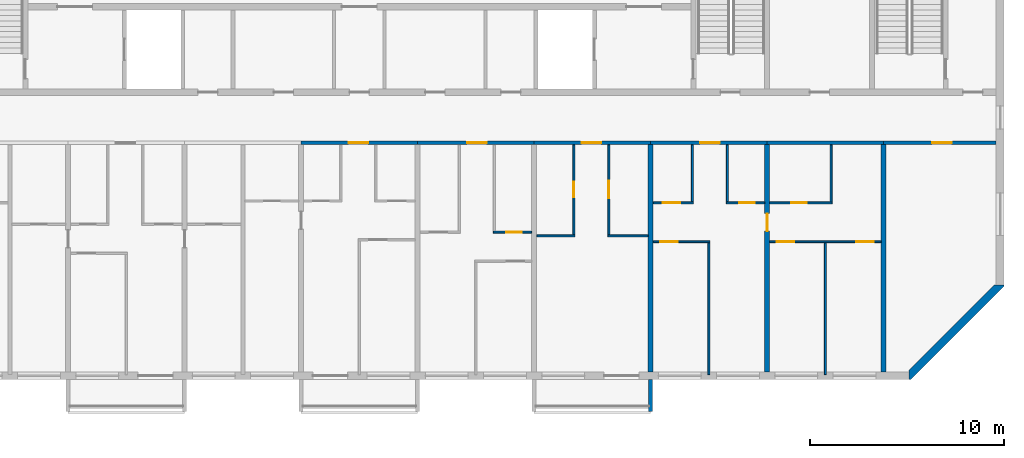
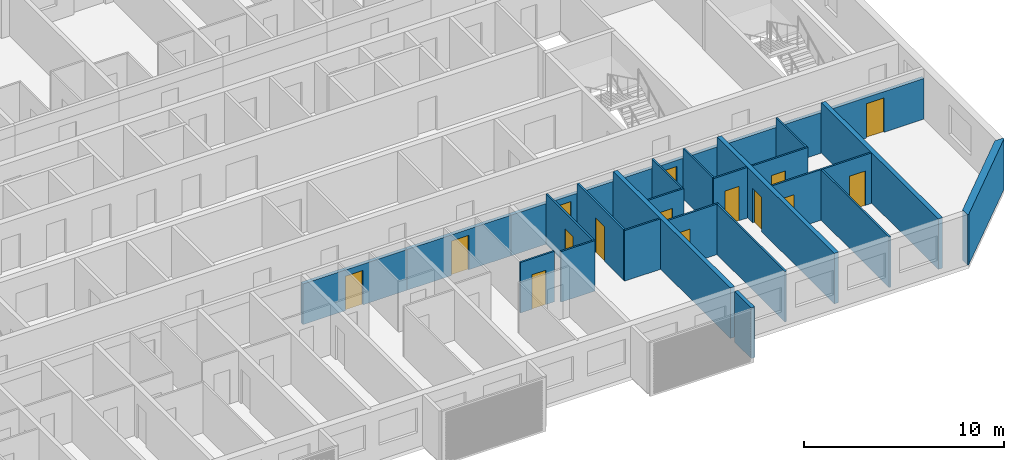
# One storey, part 5 of 29: 26 walls, 15 doors, 15 openings.
"""IFC4 building model written with IfcOpenShell, lengths in metres."""

from ifc_helpers import new_model, si_unit, direction, frame, frame_2d, origin, place, context, subcontext, project, spatial, polyline, rectangle, outline, extrude, source, transform, mapped, material, layer, layer_set, type_object, element, fill, save


model = new_model("IFC4")

# Units and contexts
model_context = context("Model", 3, precision=1e-05, world=origin(), true_north=direction((0.0, 1.0)))
body_context = subcontext(model_context, "Body", "Model", "MODEL_VIEW")
ifc_project = project(units=[si_unit("LENGTHUNIT", "METRE"), si_unit("AREAUNIT", "SQUARE_METRE"), si_unit("VOLUMEUNIT", "CUBIC_METRE"), si_unit("PLANEANGLEUNIT", "RADIAN"), si_unit("MASSUNIT", "GRAM", prefix="KILO")], contexts=[model_context])

# Site, building, storey
site_placement = place(None, origin())
site = spatial("IfcSite", under=ifc_project, at=site_placement, CompositionType="ELEMENT")
building_placement = place(site_placement, origin())
building = spatial("IfcBuilding", under=site, at=building_placement, Name="Poui Terraces", CompositionType="ELEMENT")
storey_placement = place(building_placement, frame((0.0, 0.0, 237.89990234375)))
storey = spatial("IfcBuildingStorey", under=building, at=storey_placement, Name="L66", CompositionType="ELEMENT", Elevation=237.89990234375)

# Wall, opening, door
ifc_material_1 = material(Name="Concrete 50 MPa", Category="concrete")
ifc_layer_1 = layer(ifc_material_1, 0.199951171875)
ifc_layer_set_1 = layer_set([ifc_layer_1], Name="Concrete 50 MPa")
wall_type_1 = type_object("IfcWallType", Name="CORRIDOR WALL 200 50MPa", PredefinedType="SHEAR", material=ifc_layer_set_1)
wall_1_placement = place(storey_placement, frame((48.0, 12.0, 0.0), z_axis=(0.0, 0.0, 1.0), x_axis=(1.0, 0.0, 0.0)))
wall_1 = element("IfcWall", 1, at=wall_1_placement, inside=storey, type_object=wall_type_1, Name="CORRIDOR WALL LINE B BAY 6", PredefinedType="SHEAR", context=body_context, shape_type="SweptSolid", body=[
    extrude(rectangle(XDim=6.0, YDim=0.199951171875, at=frame_2d((3.0, 0.0))), origin(), (0.0, 0.0, 1.0), 2.47998046875),
])
opening_1_placement = place(wall_1_placement, frame((2.449951171875, 0.0, 0.0)))
opening_1 = element("IfcOpeningElement", 2, at=opening_1_placement, cuts=wall_1, Name="Opening FD30S", PredefinedType="OPENING", context=body_context, shape_type="SweptSolid", body=[
    extrude(rectangle(XDim=1.0, YDim=2.10009765625, at=frame_2d((0.5, 1.050048828125))), frame((0.0, 0.10986328125, 0.0), z_axis=(0.0, -1.0, 0.0), x_axis=(1.0, 0.0, 0.0)), (0.0, 0.0, 1.0), 0.219970703125),
])
ifc_material_2 = material(Name="Steel fire door", Category="steel")
door_type_1 = type_object("IfcDoorType", Name="FLAT ENTRANCE DOOR 1000 X 2100", OperationType="NOTDEFINED", PredefinedType="DOOR", material=ifc_material_2)
door_1_placement = place(opening_1_placement, frame((1.0, 0.0, 0.0), z_axis=(0.0, 0.0, 1.0), x_axis=(-1.0, 0.0, 0.0)))
door_1 = element("IfcDoor", 3, at=door_1_placement, inside=storey, type_object=door_type_1, Name="FLAT ENTRANCE DOOR 081", OperationType="SINGLE_SWING_RIGHT", OverallHeight=2.10009765625, OverallWidth=1.0, PredefinedType="DOOR", context=body_context, shape_type="SweptSolid", body=[
    extrude(rectangle(XDim=1.0, YDim=2.10009765625, at=frame_2d((0.5, 1.050048828125))), frame((0.0, 0.02490234375, 0.0), z_axis=(0.0, -1.0, 0.0), x_axis=(1.0, 0.0, 0.0)), (0.0, 0.0, 1.0), 0.050048828125),
])
fill(opening_1, door_1)

wall_2_placement = place(storey_placement, frame((54.0, 12.0, 0.0), z_axis=(0.0, 0.0, 1.0), x_axis=(1.0, 0.0, 0.0)))
wall_2 = element("IfcWall", 4, at=wall_2_placement, inside=storey, type_object=wall_type_1, Name="CORRIDOR WALL LINE B BAY 7", PredefinedType="SHEAR", context=body_context, shape_type="SweptSolid", body=[
    extrude(rectangle(XDim=6.0, YDim=0.199951171875, at=frame_2d((3.0, 0.0))), origin(), (0.0, 0.0, 1.0), 2.47998046875),
])
opening_2_placement = place(wall_2_placement, frame((2.550048828125, 0.0, 0.0)))
opening_2 = element("IfcOpeningElement", 5, at=opening_2_placement, cuts=wall_2, Name="Opening FD30S", PredefinedType="OPENING", context=body_context, shape_type="SweptSolid", body=[
    extrude(rectangle(XDim=1.0, YDim=2.10009765625, at=frame_2d((0.5, 1.050048828125))), frame((0.0, 0.10986328125, 0.0), z_axis=(0.0, -1.0, 0.0), x_axis=(1.0, 0.0, 0.0)), (0.0, 0.0, 1.0), 0.219970703125),
])
door_2_placement = place(opening_2_placement, frame((1.0, 0.0, 0.0), z_axis=(0.0, 0.0, 1.0), x_axis=(-1.0, 0.0, 0.0)))
door_2 = element("IfcDoor", 6, at=door_2_placement, inside=storey, type_object=door_type_1, Name="FLAT ENTRANCE DOOR 085", OperationType="SINGLE_SWING_LEFT", OverallHeight=2.10009765625, OverallWidth=1.0, PredefinedType="DOOR", context=body_context, shape_type="SweptSolid", body=[
    extrude(rectangle(XDim=1.0, YDim=2.10009765625, at=frame_2d((0.5, 1.050048828125))), frame((0.0, 0.02490234375, 0.0), z_axis=(0.0, -1.0, 0.0), x_axis=(1.0, 0.0, 0.0)), (0.0, 0.0, 1.0), 0.050048828125),
])
fill(opening_2, door_2)

wall_3_placement = place(storey_placement, frame((60.0, 12.0, 0.0), z_axis=(0.0, 0.0, 1.0), x_axis=(1.0, 0.0, 0.0)))
wall_3 = element("IfcWall", 7, at=wall_3_placement, inside=storey, type_object=wall_type_1, Name="CORRIDOR WALL LINE B BAY 8", PredefinedType="SHEAR", context=body_context, shape_type="SweptSolid", body=[
    extrude(rectangle(XDim=6.0, YDim=0.199951171875, at=frame_2d((3.0, 0.0))), origin(), (0.0, 0.0, 1.0), 2.47998046875),
])
opening_3_placement = place(wall_3_placement, frame((2.449951171875, 0.0, 0.0)))
opening_3 = element("IfcOpeningElement", 8, at=opening_3_placement, cuts=wall_3, Name="Opening FD30S", PredefinedType="OPENING", context=body_context, shape_type="SweptSolid", body=[
    extrude(rectangle(XDim=1.0, YDim=2.10009765625, at=frame_2d((0.5, 1.050048828125))), frame((0.0, 0.10986328125, 0.0), z_axis=(0.0, -1.0, 0.0), x_axis=(1.0, 0.0, 0.0)), (0.0, 0.0, 1.0), 0.219970703125),
])
door_3_placement = place(opening_3_placement, frame((1.0, 0.0, 0.0), z_axis=(0.0, 0.0, 1.0), x_axis=(-1.0, 0.0, 0.0)))
door_3 = element("IfcDoor", 9, at=door_3_placement, inside=storey, type_object=door_type_1, Name="FLAT ENTRANCE DOOR 089", OperationType="SINGLE_SWING_RIGHT", OverallHeight=2.10009765625, OverallWidth=1.0, PredefinedType="DOOR", context=body_context, shape_type="SweptSolid", body=[
    extrude(rectangle(XDim=1.0, YDim=2.10009765625, at=frame_2d((0.5, 1.050048828125))), frame((0.0, 0.02490234375, 0.0), z_axis=(0.0, -1.0, 0.0), x_axis=(1.0, 0.0, 0.0)), (0.0, 0.0, 1.0), 0.050048828125),
])
fill(opening_3, door_3)

wall_4_placement = place(storey_placement, frame((66.0, 12.0, 0.0), z_axis=(0.0, 0.0, 1.0), x_axis=(1.0, 0.0, 0.0)))
wall_4 = element("IfcWall", 10, at=wall_4_placement, inside=storey, type_object=wall_type_1, Name="CORRIDOR WALL LINE B BAY 9", PredefinedType="SHEAR", context=body_context, shape_type="SweptSolid", body=[
    extrude(rectangle(XDim=6.0, YDim=0.199951171875, at=frame_2d((3.0, 0.0))), origin(), (0.0, 0.0, 1.0), 2.47998046875),
])
opening_4_placement = place(wall_4_placement, frame((2.550048828125, 0.0, 0.0)))
opening_4 = element("IfcOpeningElement", 11, at=opening_4_placement, cuts=wall_4, Name="Opening FD30S", PredefinedType="OPENING", context=body_context, shape_type="SweptSolid", body=[
    extrude(rectangle(XDim=1.0, YDim=2.10009765625, at=frame_2d((0.5, 1.050048828125))), frame((0.0, 0.10986328125, 0.0), z_axis=(0.0, -1.0, 0.0), x_axis=(1.0, 0.0, 0.0)), (0.0, 0.0, 1.0), 0.219970703125),
])
door_4_placement = place(opening_4_placement, frame((1.0, 0.0, 0.0), z_axis=(0.0, 0.0, 1.0), x_axis=(-1.0, 0.0, 0.0)))
door_4 = element("IfcDoor", 12, at=door_4_placement, inside=storey, type_object=door_type_1, Name="FLAT ENTRANCE DOOR 096", OperationType="SINGLE_SWING_LEFT", OverallHeight=2.10009765625, OverallWidth=1.0, PredefinedType="DOOR", context=body_context, shape_type="SweptSolid", body=[
    extrude(rectangle(XDim=1.0, YDim=2.10009765625, at=frame_2d((0.5, 1.050048828125))), frame((0.0, 0.02490234375, 0.0), z_axis=(0.0, -1.0, 0.0), x_axis=(1.0, 0.0, 0.0)), (0.0, 0.0, 1.0), 0.050048828125),
])
fill(opening_4, door_4)

# Wall
wall_5_placement = place(storey_placement, frame((72.0, 12.0, 0.0), z_axis=(0.0, 0.0, 1.0), x_axis=(1.0, 0.0, 0.0)))
element("IfcWall", 13, at=wall_5_placement, inside=storey, type_object=wall_type_1, Name="CORRIDOR WALL LINE B BAY 10", PredefinedType="SHEAR", context=body_context, shape_type="SweptSolid", body=[
    extrude(rectangle(XDim=6.0, YDim=0.199951171875, at=frame_2d((3.0, 0.0))), origin(), (0.0, 0.0, 1.0), 2.47998046875),
])

# Wall, opening, door
wall_6_placement = place(storey_placement, frame((78.0, 12.0, 0.0), z_axis=(0.0, 0.0, 1.0), x_axis=(1.0, 0.0, 0.0)))
wall_6 = element("IfcWall", 14, at=wall_6_placement, inside=storey, type_object=wall_type_1, Name="CORRIDOR WALL LINE B BAY 11", PredefinedType="SHEAR", context=body_context, shape_type="SweptSolid", body=[
    extrude(rectangle(XDim=5.800048828125, YDim=0.199951171875, at=frame_2d((2.89990234375, 0.0))), origin(), (0.0, 0.0, 1.0), 2.47998046875),
])
opening_5_placement = place(wall_6_placement, frame((2.5, 0.0, 0.0)))
opening_5 = element("IfcOpeningElement", 15, at=opening_5_placement, cuts=wall_6, Name="Opening D100", PredefinedType="OPENING", context=body_context, shape_type="SweptSolid", body=[
    extrude(rectangle(XDim=1.0, YDim=2.10009765625, at=frame_2d((0.5, 1.050048828125))), frame((0.0, 0.10986328125, 0.0), z_axis=(0.0, -1.0, 0.0), x_axis=(1.0, 0.0, 0.0)), (0.0, 0.0, 1.0), 0.219970703125),
])
ifc_material_3 = material(Name="Solid core timber door", Category="wood")
door_type_2 = type_object("IfcDoorType", Name="ACCESSIBLE INTERNAL DOOR 1000 X 2100", OperationType="NOTDEFINED", PredefinedType="DOOR", material=ifc_material_3)
door_5_placement = place(opening_5_placement, frame((1.0, 0.0, 0.0), z_axis=(0.0, 0.0, 1.0), x_axis=(-1.0, 0.0, 0.0)))
door_5 = element("IfcDoor", 16, at=door_5_placement, inside=storey, type_object=door_type_2, Name="ACCESSIBLE INTERNAL DOOR 099", OperationType="SINGLE_SWING_RIGHT", OverallHeight=2.10009765625, OverallWidth=1.0, PredefinedType="DOOR", context=body_context, shape_type="SweptSolid", body=[
    extrude(rectangle(XDim=1.0, YDim=2.10009765625, at=frame_2d((0.5, 1.050048828125))), frame((0.0, 0.02490234375, 0.0), z_axis=(0.0, -1.0, 0.0), x_axis=(1.0, 0.0, 0.0)), (0.0, 0.0, 1.0), 0.050048828125),
])
fill(opening_5, door_5)

# Wall
ifc_layer_2 = layer(ifc_material_1, 0.25)
ifc_layer_set_2 = layer_set([ifc_layer_2], Name="Concrete 50 MPa")
wall_type_2 = type_object("IfcWallType", Name="CROSS WALL 250 50MPa", PredefinedType="SHEAR", material=ifc_layer_set_2)
wall_7_placement = place(storey_placement, frame((66.0, 0.199951171875, 0.0), z_axis=(0.0, 0.0, 1.0), x_axis=(0.0, 1.0, 0.0)))
element("IfcWall", 17, at=wall_7_placement, inside=storey, type_object=wall_type_2, Name="CROSS WALL LINE 12 SOUTH", PredefinedType="SHEAR", context=body_context, shape_type="SweptSolid", body=[
    extrude(rectangle(XDim=11.699951171875, YDim=0.25, at=frame_2d((5.85009765625, 0.0))), origin(), (0.0, 0.0, 1.0), 3.080078125),
])

# Wall, opening, door
wall_8_placement = place(storey_placement, frame((72.0, 0.199951171875, 0.0), z_axis=(0.0, 0.0, 1.0), x_axis=(0.0, 1.0, 0.0)))
wall_8 = element("IfcWall", 18, at=wall_8_placement, inside=storey, type_object=wall_type_2, Name="CROSS WALL LINE 13 SOUTH", PredefinedType="SHEAR", context=body_context, shape_type="SweptSolid", body=[
    extrude(rectangle(XDim=11.699951171875, YDim=0.25, at=frame_2d((5.85009765625, 0.0))), origin(), (0.0, 0.0, 1.0), 3.080078125),
])
opening_6_placement = place(wall_8_placement, frame((7.25, 0.0, 0.0)))
opening_6 = element("IfcOpeningElement", 19, at=opening_6_placement, cuts=wall_8, Name="Opening D90", PredefinedType="OPENING", context=body_context, shape_type="SweptSolid", body=[
    extrude(rectangle(XDim=0.89990234375, YDim=2.10009765625, at=frame_2d((0.449951171875, 1.050048828125))), frame((0.0, 0.135009765625, 0.0), z_axis=(0.0, -1.0, 0.0), x_axis=(1.0, 0.0, 0.0)), (0.0, 0.0, 1.0), 0.27001953125),
])
door_type_3 = type_object("IfcDoorType", Name="INTERNAL DOOR 900 X 2100", OperationType="NOTDEFINED", PredefinedType="DOOR", material=ifc_material_3)
door_6_placement = place(opening_6_placement, origin())
door_6 = element("IfcDoor", 20, at=door_6_placement, inside=storey, type_object=door_type_3, Name="INTERNAL DOOR 098", OperationType="SINGLE_SWING_RIGHT", OverallHeight=2.10009765625, OverallWidth=0.89990234375, PredefinedType="DOOR", context=body_context, shape_type="SweptSolid", body=[
    extrude(rectangle(XDim=0.89990234375, YDim=2.10009765625, at=frame_2d((0.449951171875, 1.050048828125))), frame((0.0, 0.02490234375, 0.0), z_axis=(0.0, -1.0, 0.0), x_axis=(1.0, 0.0, 0.0)), (0.0, 0.0, 1.0), 0.050048828125),
])
fill(opening_6, door_6)

# Wall
wall_9_placement = place(storey_placement, frame((78.0, 0.199951171875, 0.0), z_axis=(0.0, 0.0, 1.0), x_axis=(0.0, 1.0, 0.0)))
element("IfcWall", 21, at=wall_9_placement, inside=storey, type_object=wall_type_2, Name="CROSS WALL LINE 14 SOUTH", PredefinedType="SHEAR", context=body_context, shape_type="SweptSolid", body=[
    extrude(rectangle(XDim=11.699951171875, YDim=0.25, at=frame_2d((5.85009765625, 0.0))), origin(), (0.0, 0.0, 1.0), 3.080078125),
])

# Wall, opening, door
ifc_material_4 = material(Name="Plasterboard partition")
ifc_layer_3 = layer(ifc_material_4, 0.10009765625)
ifc_layer_set_3 = layer_set([ifc_layer_3], Name="Plasterboard partition")
wall_type_3 = type_object("IfcWallType", Name="FLAT PARTITION 100", PredefinedType="PARTITIONING", material=ifc_layer_set_3)
wall_10_placement = place(storey_placement, frame((66.135009765625, 6.89990234375, 0.0), z_axis=(0.0, 0.0, 1.0), x_axis=(1.0, 0.0, 0.0)))
wall_10 = element("IfcWall", 22, at=wall_10_placement, inside=storey, type_object=wall_type_3, Name="FLAT PARTITION 100", PredefinedType="PARTITIONING", context=body_context, shape_type="SweptSolid", body=[
    extrude(rectangle(XDim=2.9150390625, YDim=0.10009765625, at=frame_2d((1.45751953125, 0.0))), origin(), (0.0, 0.0, 1.0), 3.080078125),
])
opening_7_placement = place(wall_10_placement, frame((0.364990234375, 0.0, 0.0)))
opening_7 = element("IfcOpeningElement", 23, at=opening_7_placement, cuts=wall_10, Name="Opening D90", PredefinedType="OPENING", context=body_context, shape_type="SweptSolid", body=[
    extrude(rectangle(XDim=0.89990234375, YDim=2.10009765625, at=frame_2d((0.449951171875, 1.050048828125))), frame((0.0, 0.06005859375, 0.0), z_axis=(0.0, -1.0, 0.0), x_axis=(1.0, 0.0, 0.0)), (0.0, 0.0, 1.0), 0.1201171875),
])
door_7_placement = place(opening_7_placement, origin())
door_7 = element("IfcDoor", 24, at=door_7_placement, inside=storey, type_object=door_type_3, Name="INTERNAL DOOR 094", OperationType="SINGLE_SWING_RIGHT", OverallHeight=2.10009765625, OverallWidth=0.89990234375, PredefinedType="DOOR", context=body_context, shape_type="SweptSolid", body=[
    extrude(rectangle(XDim=0.89990234375, YDim=2.10009765625, at=frame_2d((0.449951171875, 1.050048828125))), frame((0.0, 0.02490234375, 0.0), z_axis=(0.0, -1.0, 0.0), x_axis=(1.0, 0.0, 0.0)), (0.0, 0.0, 1.0), 0.050048828125),
])
fill(opening_7, door_7)

# Wall, openings, doors
wall_11_placement = place(storey_placement, frame((72.135009765625, 6.89990234375, 0.0), z_axis=(0.0, 0.0, 1.0), x_axis=(1.0, 0.0, 0.0)))
wall_11 = element("IfcWall", 25, at=wall_11_placement, inside=storey, type_object=wall_type_3, Name="FLAT PARTITION 100", PredefinedType="PARTITIONING", context=body_context, shape_type="SweptSolid", body=[
    extrude(rectangle(XDim=5.72998046875, YDim=0.10009765625, at=frame_2d((2.864990234375, 0.0))), origin(), (0.0, 0.0, 1.0), 3.080078125),
])
opening_8_placement = place(wall_11_placement, frame((0.364990234375, 0.0, 0.0)))
opening_8 = element("IfcOpeningElement", 26, at=opening_8_placement, cuts=wall_11, Name="Opening D90", PredefinedType="OPENING", context=body_context, shape_type="SweptSolid", body=[
    extrude(rectangle(XDim=0.89990234375, YDim=2.10009765625, at=frame_2d((0.449951171875, 1.050048828125))), frame((0.0, 0.06005859375, 0.0), z_axis=(0.0, -1.0, 0.0), x_axis=(1.0, 0.0, 0.0)), (0.0, 0.0, 1.0), 0.1201171875),
])
opening_9_placement = place(wall_11_placement, frame((4.465087890625, 0.0, 0.0)))
opening_9 = element("IfcOpeningElement", 27, at=opening_9_placement, cuts=wall_11, Name="Opening D90", PredefinedType="OPENING", context=body_context, shape_type="SweptSolid", body=[
    extrude(rectangle(XDim=0.89990234375, YDim=2.10009765625, at=frame_2d((0.449951171875, 1.050048828125))), frame((0.0, 0.06005859375, 0.0), z_axis=(0.0, -1.0, 0.0), x_axis=(1.0, 0.0, 0.0)), (0.0, 0.0, 1.0), 0.1201171875),
])
door_8_placement = place(opening_8_placement, frame((0.89990234375, 0.0, 0.0), z_axis=(0.0, 0.0, 1.0), x_axis=(-1.0, 0.0, 0.0)))
door_8 = element("IfcDoor", 28, at=door_8_placement, inside=storey, type_object=door_type_3, Name="INTERNAL DOOR 091", OperationType="SINGLE_SWING_RIGHT", OverallHeight=2.10009765625, OverallWidth=0.89990234375, PredefinedType="DOOR", context=body_context, shape_type="SweptSolid", body=[
    extrude(rectangle(XDim=0.89990234375, YDim=2.10009765625, at=frame_2d((0.449951171875, 1.050048828125))), frame((0.0, 0.02490234375, 0.0), z_axis=(0.0, -1.0, 0.0), x_axis=(1.0, 0.0, 0.0)), (0.0, 0.0, 1.0), 0.050048828125),
])
fill(opening_8, door_8)
door_9_placement = place(opening_9_placement, frame((0.89990234375, 0.0, 0.0), z_axis=(0.0, 0.0, 1.0), x_axis=(-1.0, 0.0, 0.0)))
door_9 = element("IfcDoor", 29, at=door_9_placement, inside=storey, type_object=door_type_3, Name="INTERNAL DOOR 093", OperationType="SINGLE_SWING_LEFT", OverallHeight=2.10009765625, OverallWidth=0.89990234375, PredefinedType="DOOR", context=body_context, shape_type="SweptSolid", body=[
    extrude(rectangle(XDim=0.89990234375, YDim=2.10009765625, at=frame_2d((0.449951171875, 1.050048828125))), frame((0.0, 0.02490234375, 0.0), z_axis=(0.0, -1.0, 0.0), x_axis=(1.0, 0.0, 0.0)), (0.0, 0.0, 1.0), 0.050048828125),
])
fill(opening_9, door_9)

# Walls
wall_12_placement = place(storey_placement, frame((60.135009765625, 7.199951171875, 0.0), z_axis=(0.0, 0.0, 1.0), x_axis=(1.0, 0.0, 0.0)))
element("IfcWall", 30, at=wall_12_placement, inside=storey, type_object=wall_type_3, Name="FLAT PARTITION 100", PredefinedType="PARTITIONING", context=body_context, shape_type="SweptSolid", body=[
    extrude(rectangle(XDim=1.965087890625, YDim=0.10009765625, at=frame_2d((0.982421875, 0.0))), origin(), (0.0, 0.0, 1.0), 3.080078125),
])
wall_13_placement = place(storey_placement, frame((63.800048828125, 7.199951171875, 0.0), z_axis=(0.0, 0.0, 1.0), x_axis=(1.0, 0.0, 0.0)))
element("IfcWall", 31, at=wall_13_placement, inside=storey, type_object=wall_type_3, Name="FLAT PARTITION 100", PredefinedType="PARTITIONING", context=body_context, shape_type="SweptSolid", body=[
    extrude(rectangle(XDim=2.06494140625, YDim=0.10009765625, at=frame_2d((1.032470703125, 0.0))), origin(), (0.0, 0.0, 1.0), 3.080078125),
])

# Wall, opening, door
wall_14_placement = place(storey_placement, frame((57.89990234375, 7.39990234375, 0.0), z_axis=(0.0, 0.0, 1.0), x_axis=(1.0, 0.0, 0.0)))
wall_14 = element("IfcWall", 32, at=wall_14_placement, inside=storey, type_object=wall_type_3, Name="FLAT PARTITION 100", PredefinedType="PARTITIONING", context=body_context, shape_type="SweptSolid", body=[
    extrude(rectangle(XDim=1.965087890625, YDim=0.10009765625, at=frame_2d((0.982421875, 0.0))), origin(), (0.0, 0.0, 1.0), 3.080078125),
])
opening_10_placement = place(wall_14_placement, frame((0.675048828125, 0.0, 0.0)))
opening_10 = element("IfcOpeningElement", 33, at=opening_10_placement, cuts=wall_14, Name="Opening D80", PredefinedType="OPENING", context=body_context, shape_type="SweptSolid", body=[
    extrude(rectangle(XDim=0.800048828125, YDim=2.10009765625, at=frame_2d((0.39990234375, 1.050048828125))), frame((0.0, 0.06005859375, 0.0), z_axis=(0.0, -1.0, 0.0), x_axis=(1.0, 0.0, 0.0)), (0.0, 0.0, 1.0), 0.1201171875),
])
door_type_4 = type_object("IfcDoorType", Name="BATHROOM, LAUNDRY AND STORE DOOR 800 X 2100", OperationType="NOTDEFINED", PredefinedType="DOOR", material=ifc_material_3)
door_10_placement = place(opening_10_placement, origin())
door_10 = element("IfcDoor", 34, at=door_10_placement, inside=storey, type_object=door_type_4, Name="BATHROOM, LAUNDRY AND STORE DOOR 086", OperationType="SINGLE_SWING_RIGHT", OverallHeight=2.10009765625, OverallWidth=0.800048828125, PredefinedType="DOOR", context=body_context, shape_type="SweptSolid", body=[
    extrude(rectangle(XDim=0.800048828125, YDim=2.10009765625, at=frame_2d((0.39990234375, 1.050048828125))), frame((0.0, 0.02490234375, 0.0), z_axis=(0.0, -1.0, 0.0), x_axis=(1.0, 0.0, 0.0)), (0.0, 0.0, 1.0), 0.050048828125),
])
fill(opening_10, door_10)

wall_15_placement = place(storey_placement, frame((66.135009765625, 8.89990234375, 0.0), z_axis=(0.0, 0.0, 1.0), x_axis=(1.0, 0.0, 0.0)))
wall_15 = element("IfcWall", 35, at=wall_15_placement, inside=storey, type_object=wall_type_3, Name="FLAT PARTITION 100", PredefinedType="PARTITIONING", context=body_context, shape_type="SweptSolid", body=[
    extrude(rectangle(XDim=2.06494140625, YDim=0.10009765625, at=frame_2d((1.032470703125, 0.0))), origin(), (0.0, 0.0, 1.0), 3.080078125),
])
opening_11_placement = place(wall_15_placement, frame((0.489990234375, 0.0, 0.0)))
opening_11 = element("IfcOpeningElement", 36, at=opening_11_placement, cuts=wall_15, Name="Opening D90", PredefinedType="OPENING", context=body_context, shape_type="SweptSolid", body=[
    extrude(rectangle(XDim=0.89990234375, YDim=2.10009765625, at=frame_2d((0.449951171875, 1.050048828125))), frame((0.0, 0.06005859375, 0.0), z_axis=(0.0, -1.0, 0.0), x_axis=(1.0, 0.0, 0.0)), (0.0, 0.0, 1.0), 0.1201171875),
])
door_11_placement = place(opening_11_placement, origin())
door_11 = element("IfcDoor", 37, at=door_11_placement, inside=storey, type_object=door_type_3, Name="INTERNAL DOOR 095", OperationType="SINGLE_SWING_LEFT", OverallHeight=2.10009765625, OverallWidth=0.89990234375, PredefinedType="DOOR", context=body_context, shape_type="SweptSolid", body=[
    extrude(rectangle(XDim=0.89990234375, YDim=2.10009765625, at=frame_2d((0.449951171875, 1.050048828125))), frame((0.0, 0.02490234375, 0.0), z_axis=(0.0, -1.0, 0.0), x_axis=(1.0, 0.0, 0.0)), (0.0, 0.0, 1.0), 0.050048828125),
])
fill(opening_11, door_11)

wall_16_placement = place(storey_placement, frame((69.89990234375, 8.89990234375, 0.0), z_axis=(0.0, 0.0, 1.0), x_axis=(1.0, 0.0, 0.0)))
wall_16 = element("IfcWall", 38, at=wall_16_placement, inside=storey, type_object=wall_type_3, Name="FLAT PARTITION 100", PredefinedType="PARTITIONING", context=body_context, shape_type="SweptSolid", body=[
    extrude(rectangle(XDim=1.965087890625, YDim=0.10009765625, at=frame_2d((0.982421875, 0.0))), origin(), (0.0, 0.0, 1.0), 3.080078125),
])
opening_12_placement = place(wall_16_placement, frame((0.675048828125, 0.0, 0.0)))
opening_12 = element("IfcOpeningElement", 39, at=opening_12_placement, cuts=wall_16, Name="Opening D80", PredefinedType="OPENING", context=body_context, shape_type="SweptSolid", body=[
    extrude(rectangle(XDim=0.800048828125, YDim=2.10009765625, at=frame_2d((0.39990234375, 1.050048828125))), frame((0.0, 0.06005859375, 0.0), z_axis=(0.0, -1.0, 0.0), x_axis=(1.0, 0.0, 0.0)), (0.0, 0.0, 1.0), 0.1201171875),
])
door_12_placement = place(opening_12_placement, origin())
door_12 = element("IfcDoor", 40, at=door_12_placement, inside=storey, type_object=door_type_4, Name="BATHROOM, LAUNDRY AND STORE DOOR 097", OperationType="SINGLE_SWING_RIGHT", OverallHeight=2.10009765625, OverallWidth=0.800048828125, PredefinedType="DOOR", context=body_context, shape_type="SweptSolid", body=[
    extrude(rectangle(XDim=0.800048828125, YDim=2.10009765625, at=frame_2d((0.39990234375, 1.050048828125))), frame((0.0, 0.02490234375, 0.0), z_axis=(0.0, -1.0, 0.0), x_axis=(1.0, 0.0, 0.0)), (0.0, 0.0, 1.0), 0.050048828125),
])
fill(opening_12, door_12)

wall_17_placement = place(storey_placement, frame((72.135009765625, 8.89990234375, 0.0), z_axis=(0.0, 0.0, 1.0), x_axis=(1.0, 0.0, 0.0)))
wall_17 = element("IfcWall", 41, at=wall_17_placement, inside=storey, type_object=wall_type_3, Name="FLAT PARTITION 100", PredefinedType="PARTITIONING", context=body_context, shape_type="SweptSolid", body=[
    extrude(rectangle(XDim=3.215087890625, YDim=0.10009765625, at=frame_2d((1.607421875, 0.0))), origin(), (0.0, 0.0, 1.0), 3.080078125),
])
opening_13_placement = place(wall_17_placement, frame((1.114990234375, 0.0, 0.0)))
opening_13 = element("IfcOpeningElement", 42, at=opening_13_placement, cuts=wall_17, Name="Opening D80", PredefinedType="OPENING", context=body_context, shape_type="SweptSolid", body=[
    extrude(rectangle(XDim=0.800048828125, YDim=2.10009765625, at=frame_2d((0.39990234375, 1.050048828125))), frame((0.0, 0.06005859375, 0.0), z_axis=(0.0, -1.0, 0.0), x_axis=(1.0, 0.0, 0.0)), (0.0, 0.0, 1.0), 0.1201171875),
])
door_13_placement = place(opening_13_placement, frame((0.800048828125, 0.0, 0.0), z_axis=(0.0, 0.0, 1.0), x_axis=(-1.0, 0.0, 0.0)))
door_13 = element("IfcDoor", 43, at=door_13_placement, inside=storey, type_object=door_type_4, Name="BATHROOM, LAUNDRY AND STORE DOOR 092", OperationType="SINGLE_SWING_LEFT", OverallHeight=2.10009765625, OverallWidth=0.800048828125, PredefinedType="DOOR", context=body_context, shape_type="SweptSolid", body=[
    extrude(rectangle(XDim=0.800048828125, YDim=2.10009765625, at=frame_2d((0.39990234375, 1.050048828125))), frame((0.0, 0.02490234375, 0.0), z_axis=(0.0, -1.0, 0.0), x_axis=(1.0, 0.0, 0.0)), (0.0, 0.0, 1.0), 0.050048828125),
])
fill(opening_13, door_13)

wall_18_placement = place(storey_placement, frame((62.050048828125, 7.25, 0.0), z_axis=(0.0, 0.0, 1.0), x_axis=(0.0, 1.0, 0.0)))
wall_18 = element("IfcWall", 44, at=wall_18_placement, inside=storey, type_object=wall_type_3, Name="FLAT PARTITION 100", PredefinedType="PARTITIONING", context=body_context, shape_type="SweptSolid", body=[
    extrude(rectangle(XDim=4.639892578125, YDim=0.10009765625, at=frame_2d((2.31982421875, 0.0))), origin(), (0.0, 0.0, 1.0), 3.080078125),
])
opening_14_placement = place(wall_18_placement, frame((1.949951171875, 0.0, 0.0)))
opening_14 = element("IfcOpeningElement", 45, at=opening_14_placement, cuts=wall_18, Name="Opening D80", PredefinedType="OPENING", context=body_context, shape_type="SweptSolid", body=[
    extrude(rectangle(XDim=0.800048828125, YDim=2.10009765625, at=frame_2d((0.39990234375, 1.050048828125))), frame((0.0, 0.06005859375, 0.0), z_axis=(0.0, -1.0, 0.0), x_axis=(1.0, 0.0, 0.0)), (0.0, 0.0, 1.0), 0.1201171875),
])
door_14_placement = place(opening_14_placement, origin())
door_14 = element("IfcDoor", 46, at=door_14_placement, inside=storey, type_object=door_type_4, Name="BATHROOM, LAUNDRY AND STORE DOOR 088", OperationType="SINGLE_SWING_LEFT", OverallHeight=2.10009765625, OverallWidth=0.800048828125, PredefinedType="DOOR", context=body_context, shape_type="SweptSolid", body=[
    extrude(rectangle(XDim=0.800048828125, YDim=2.10009765625, at=frame_2d((0.39990234375, 1.050048828125))), frame((0.0, 0.02490234375, 0.0), z_axis=(0.0, -1.0, 0.0), x_axis=(1.0, 0.0, 0.0)), (0.0, 0.0, 1.0), 0.050048828125),
])
fill(opening_14, door_14)

wall_19_placement = place(storey_placement, frame((63.85009765625, 7.25, 0.0), z_axis=(0.0, 0.0, 1.0), x_axis=(0.0, 1.0, 0.0)))
wall_19 = element("IfcWall", 47, at=wall_19_placement, inside=storey, type_object=wall_type_3, Name="FLAT PARTITION 100", PredefinedType="PARTITIONING", context=body_context, shape_type="SweptSolid", body=[
    extrude(rectangle(XDim=4.639892578125, YDim=0.10009765625, at=frame_2d((2.31982421875, 0.0))), origin(), (0.0, 0.0, 1.0), 3.080078125),
])
opening_15_placement = place(wall_19_placement, frame((1.89990234375, 0.0, 0.0)))
opening_15 = element("IfcOpeningElement", 48, at=opening_15_placement, cuts=wall_19, Name="Opening D90", PredefinedType="OPENING", context=body_context, shape_type="SweptSolid", body=[
    extrude(rectangle(XDim=0.89990234375, YDim=2.10009765625, at=frame_2d((0.449951171875, 1.050048828125))), frame((0.0, 0.06005859375, 0.0), z_axis=(0.0, -1.0, 0.0), x_axis=(1.0, 0.0, 0.0)), (0.0, 0.0, 1.0), 0.1201171875),
])
door_15_placement = place(opening_15_placement, frame((0.89990234375, 0.0, 0.0), z_axis=(0.0, 0.0, 1.0), x_axis=(-1.0, 0.0, 0.0)))
door_15 = element("IfcDoor", 49, at=door_15_placement, inside=storey, type_object=door_type_3, Name="INTERNAL DOOR 090", OperationType="SINGLE_SWING_LEFT", OverallHeight=2.10009765625, OverallWidth=0.89990234375, PredefinedType="DOOR", context=body_context, shape_type="SweptSolid", body=[
    extrude(rectangle(XDim=0.89990234375, YDim=2.10009765625, at=frame_2d((0.449951171875, 1.050048828125))), frame((0.0, 0.02490234375, 0.0), z_axis=(0.0, -1.0, 0.0), x_axis=(1.0, 0.0, 0.0)), (0.0, 0.0, 1.0), 0.050048828125),
])
fill(opening_15, door_15)

# Walls
wall_20_placement = place(storey_placement, frame((68.14990234375, 8.949951171875, 0.0), z_axis=(0.0, 0.0, 1.0), x_axis=(0.0, 1.0, 0.0)))
element("IfcWall", 50, at=wall_20_placement, inside=storey, type_object=wall_type_3, Name="FLAT PARTITION 100", PredefinedType="PARTITIONING", context=body_context, shape_type="SweptSolid", body=[
    extrude(rectangle(XDim=2.93994140625, YDim=0.10009765625, at=frame_2d((1.469970703125, 0.0))), origin(), (0.0, 0.0, 1.0), 3.080078125),
])
wall_21_placement = place(storey_placement, frame((69.0, 0.06005859375, 0.0), z_axis=(0.0, 0.0, 1.0), x_axis=(0.0, 1.0, 0.0)))
element("IfcWall", 51, at=wall_21_placement, inside=storey, type_object=wall_type_3, Name="FLAT PARTITION 100", PredefinedType="PARTITIONING", context=body_context, shape_type="SweptSolid", body=[
    extrude(rectangle(XDim=6.7900390625, YDim=0.10009765625, at=frame_2d((3.39501953125, 0.0))), origin(), (0.0, 0.0, 1.0), 3.080078125),
])
wall_22_placement = place(storey_placement, frame((69.949951171875, 8.949951171875, 0.0), z_axis=(0.0, 0.0, 1.0), x_axis=(0.0, 1.0, 0.0)))
element("IfcWall", 52, at=wall_22_placement, inside=storey, type_object=wall_type_3, Name="FLAT PARTITION 100", PredefinedType="PARTITIONING", context=body_context, shape_type="SweptSolid", body=[
    extrude(rectangle(XDim=2.93994140625, YDim=0.10009765625, at=frame_2d((1.469970703125, 0.0))), origin(), (0.0, 0.0, 1.0), 3.080078125),
])
wall_23_placement = place(storey_placement, frame((75.0, 0.06005859375, 0.0), z_axis=(0.0, 0.0, 1.0), x_axis=(0.0, 1.0, 0.0)))
element("IfcWall", 53, at=wall_23_placement, inside=storey, type_object=wall_type_3, Name="FLAT PARTITION 100", PredefinedType="PARTITIONING", context=body_context, shape_type="SweptSolid", body=[
    extrude(rectangle(XDim=6.7900390625, YDim=0.10009765625, at=frame_2d((3.39501953125, 0.0))), origin(), (0.0, 0.0, 1.0), 3.080078125),
])
wall_24_placement = place(storey_placement, frame((75.300048828125, 8.949951171875, 0.0), z_axis=(0.0, 0.0, 1.0), x_axis=(0.0, 1.0, 0.0)))
element("IfcWall", 54, at=wall_24_placement, inside=storey, type_object=wall_type_3, Name="FLAT PARTITION 100", PredefinedType="PARTITIONING", context=body_context, shape_type="SweptSolid", body=[
    extrude(rectangle(XDim=2.93994140625, YDim=0.10009765625, at=frame_2d((1.469970703125, 0.0))), origin(), (0.0, 0.0, 1.0), 3.080078125),
])
ifc_material_5 = material(Name="Precast concrete 40 MPa", Category="concrete")
ifc_layer_4 = layer(ifc_material_5, 0.39990234375)
ifc_layer_set_4 = layer_set([ifc_layer_4], Name="Precast concrete 40 MPa")
wall_type_4 = type_object("IfcWallType", Name="TERRACOTTA CLAD CHAMFER WALL 400", PredefinedType="STANDARD", material=ifc_layer_set_4)
wall_25_placement = place(storey_placement, origin())
element("IfcWall", 55, at=wall_25_placement, inside=storey, type_object=wall_type_4, Name="CHAMFER WALL CH01", PredefinedType="STANDARD", context=body_context, shape_type="SweptSolid", body=[
    extrude(outline(polyline([(79.317138671875, -0.199951171875), (79.39990234375, -0.199951171875), (84.199951171875, 4.60009765625), (84.199951171875, 4.682861328125), (83.71728515625, 4.682861328125), (79.317138671875, 0.28271484375), (79.317138671875, -0.199951171875)])), origin(), (0.0, 0.0, 1.0), 3.080078125),
])
ifc_layer_5 = layer(ifc_material_5, 0.199951171875)
ifc_layer_set_5 = layer_set([ifc_layer_5], Name="Precast concrete 40 MPa")
wall_type_5 = type_object("IfcWallType", Name="REAR FIN 200", PredefinedType="STANDARD", material=ifc_layer_set_5)
shared_shape = source(origin(), body_context, "Body", "SweptSolid", [
    extrude(outline(polyline([(0.0, 0.0), (0.2001953125, 0.0), (0.2001953125, 1.650146484375), (0.0, 1.650146484375), (0.0, 0.0)])), origin(), (0.0, 0.0, 1.0), 3.10009765625),
])
wall_26_placement = place(storey_placement, frame((65.89990234375, -1.85009765625, 0.0)))
element("IfcWall", 56, at=wall_26_placement, inside=storey, type_object=wall_type_5, Name="REAR FIN", PredefinedType="STANDARD", context=body_context, shape_type="MappedRepresentation", body=[
    mapped(shared_shape, transform((0.0, 0.0, 0.0))),
])

save(model, "model.ifc")
